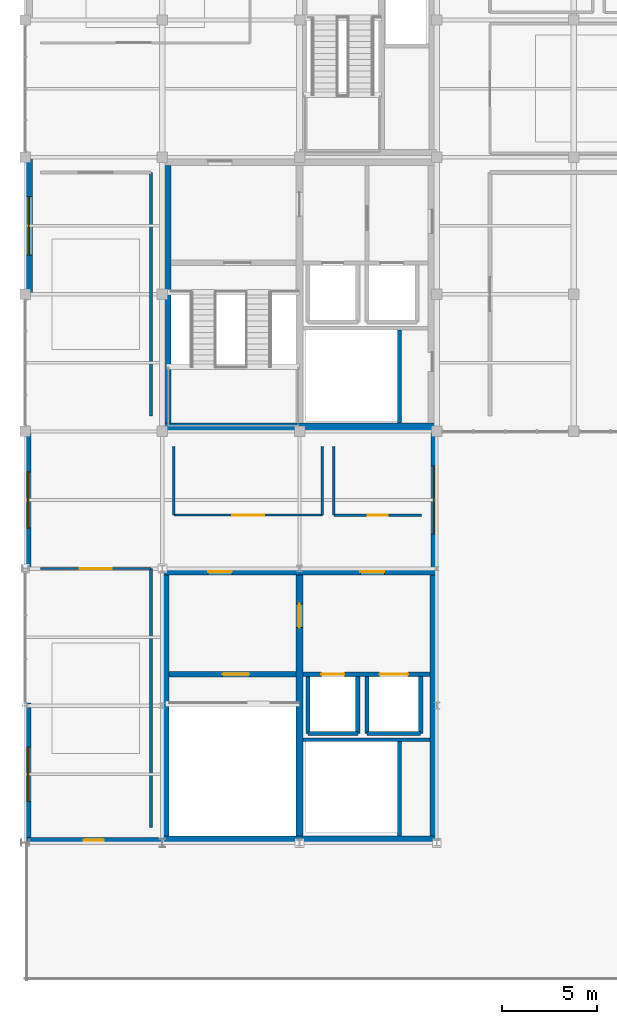
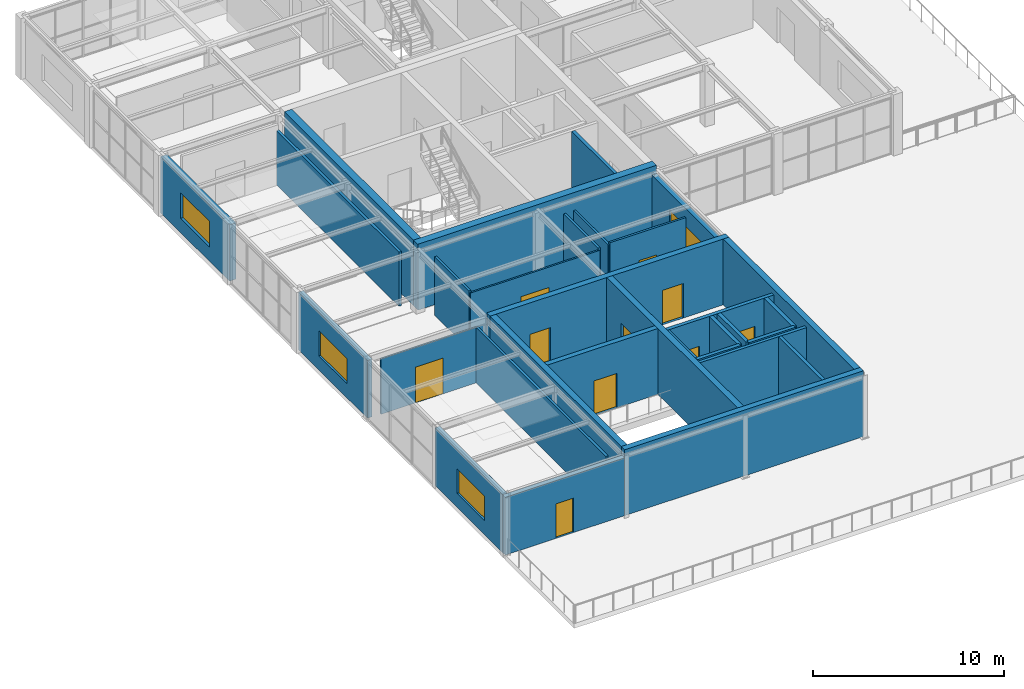
# One storey, part 21 of 30: 31 walls, 10 doors, 4 windows, 14 openings.
"""IFC4 building model written with IfcOpenShell, lengths in metres."""

from ifc_helpers import new_model, si_unit, direction, frame, frame_2d, origin, place, context, subcontext, project, spatial, rectangle, extrude, material, layer, layer_set, type_object, element, fill, save


model = new_model("IFC4")

# Units and contexts
model_context = context("Model", 3, precision=1e-05, world=origin(), true_north=direction((0.0, 1.0)))
body_context = subcontext(model_context, "Body", "Model", "MODEL_VIEW")
ifc_project = project(units=[si_unit("LENGTHUNIT", "METRE"), si_unit("AREAUNIT", "SQUARE_METRE"), si_unit("VOLUMEUNIT", "CUBIC_METRE"), si_unit("PLANEANGLEUNIT", "RADIAN"), si_unit("MASSUNIT", "GRAM", prefix="KILO")], contexts=[model_context])

# Site, building, storey
site_placement = place(None, origin())
site = spatial("IfcSite", under=ifc_project, at=site_placement, CompositionType="ELEMENT")
building_placement = place(site_placement, origin())
building = spatial("IfcBuilding", under=site, at=building_placement, Name="Leyfeld Transit Interchange", CompositionType="ELEMENT")
storey_placement = place(building_placement, frame((0.0, 0.0, 13.800048828125)))
storey = spatial("IfcBuildingStorey", under=building, at=storey_placement, Name="L03", CompositionType="ELEMENT", Elevation=13.800048828125)

# Wall, opening, window
ifc_material_1 = material(Name="Clinker brick masonry - Insulated", Category="masonry")
ifc_layer_1 = layer(ifc_material_1, 0.3798828125, Name="Clinker brick masonry - Insulated")
ifc_layer_set_1 = layer_set([ifc_layer_1], Name="Clinker brick masonry - Insulated")
wall_type_1 = type_object("IfcWallType", Name="WL-EXT-BRK-380", PredefinedType="SOLIDWALL", material=ifc_layer_set_1)
wall_1_placement = place(storey_placement, frame((0.18994140625, 100.800048828125, 0.0), z_axis=(0.0, 0.0, 1.0), x_axis=(0.0, 1.0, 0.0)))
wall_1 = element("IfcWall", 1, at=wall_1_placement, inside=storey, type_object=wall_type_1, Name="External Facade Wall EW-L03-103", PredefinedType="SOLIDWALL", context=body_context, shape_type="SweptSolid", body=[
    extrude(rectangle(XDim=7.199951171875, YDim=0.3798828125, at=frame_2d((3.60009765625, 0.0))), origin(), (0.0, 0.0, 1.0), 3.599853515625),
])
opening_1_placement = place(wall_1_placement, frame((2.074951171875, 0.0, 0.89990234375)))
opening_1 = element("IfcOpeningElement", 2, at=opening_1_placement, cuts=wall_1, Name="Opening WU-19", PredefinedType="OPENING", context=body_context, shape_type="SweptSolid", body=[
    extrude(rectangle(XDim=3.050048828125, YDim=1.64990234375, at=frame_2d((1.52490234375, 0.824951171875))), frame((0.0, 0.199951171875, 0.0), z_axis=(0.0, -1.0, 0.0), x_axis=(1.0, 0.0, 0.0)), (0.0, 0.0, 1.0), 0.39990234375),
])
ifc_material_2 = material(Name="Triple low-E insulated glazing", Category="glass")
window_type_1 = type_object("IfcWindowType", Name="WIN-UNQ-19", PartitioningType="SINGLE_PANEL", PredefinedType="WINDOW", material=ifc_material_2)
window_1_placement = place(opening_1_placement, origin())
window_1 = element("IfcWindow", 3, at=window_1_placement, inside=storey, type_object=window_type_1, Name="Facade Window L03 071", OverallHeight=1.64990234375, OverallWidth=3.050048828125, PartitioningType="SINGLE_PANEL", PredefinedType="WINDOW", context=body_context, shape_type="SweptSolid", body=[
    extrude(rectangle(XDim=3.050048828125, YDim=1.64990234375, at=frame_2d((1.52490234375, 0.824951171875))), frame((0.0, 0.030029296875, 0.0), z_axis=(0.0, -1.0, 0.0), x_axis=(1.0, 0.0, 0.0)), (0.0, 0.0, 1.0), 0.06005859375),
])
fill(opening_1, window_1)

ifc_material_3 = material(Name="Austrian larch glulam GL28h", Category="wood")
ifc_layer_2 = layer(ifc_material_3, 0.2900390625, Name="Austrian larch glulam GL28h")
ifc_layer_set_2 = layer_set([ifc_layer_2], Name="Austrian larch glulam GL28h")
wall_type_2 = type_object("IfcWallType", Name="WL-EXT-LRC-290", PredefinedType="SOLIDWALL", material=ifc_layer_set_2)
wall_2_placement = place(storey_placement, frame((0.14501953125, 72.0, 0.0), z_axis=(0.0, 0.0, 1.0), x_axis=(0.0, 1.0, 0.0)))
wall_2 = element("IfcWall", 4, at=wall_2_placement, inside=storey, type_object=wall_type_2, Name="External Facade Wall EW-L03-101", PredefinedType="SOLIDWALL", context=body_context, shape_type="SweptSolid", body=[
    extrude(rectangle(XDim=7.330078125, YDim=0.2900390625, at=frame_2d((3.6650390625, 0.0))), origin(), (0.0, 0.0, 1.0), 3.679931640625),
])
opening_2_placement = place(wall_2_placement, frame((2.175048828125, 0.0, 0.89990234375)))
opening_2 = element("IfcOpeningElement", 5, at=opening_2_placement, cuts=wall_2, Name="Opening WU-17", PredefinedType="OPENING", context=body_context, shape_type="SweptSolid", body=[
    extrude(rectangle(XDim=2.85009765625, YDim=1.550048828125, at=frame_2d((1.425048828125, 0.77490234375))), frame((0.0, 0.155029296875, 0.0), z_axis=(0.0, -1.0, 0.0), x_axis=(1.0, 0.0, 0.0)), (0.0, 0.0, 1.0), 0.31005859375),
])
window_type_2 = type_object("IfcWindowType", Name="WIN-UNQ-17", PartitioningType="SINGLE_PANEL", PredefinedType="WINDOW", material=ifc_material_2)
window_2_placement = place(opening_2_placement, origin())
window_2 = element("IfcWindow", 6, at=window_2_placement, inside=storey, type_object=window_type_2, Name="Facade Window L03 069", OverallHeight=1.550048828125, OverallWidth=2.85009765625, PartitioningType="SINGLE_PANEL", PredefinedType="WINDOW", context=body_context, shape_type="SweptSolid", body=[
    extrude(rectangle(XDim=2.85009765625, YDim=1.550048828125, at=frame_2d((1.425048828125, 0.77490234375))), frame((0.0, 0.030029296875, 0.0), z_axis=(0.0, -1.0, 0.0), x_axis=(1.0, 0.0, 0.0)), (0.0, 0.0, 1.0), 0.06005859375),
])
fill(opening_2, window_2)

wall_3_placement = place(storey_placement, frame((0.14501953125, 86.39990234375, 0.0), z_axis=(0.0, 0.0, 1.0), x_axis=(0.0, 1.0, 0.0)))
wall_3 = element("IfcWall", 7, at=wall_3_placement, inside=storey, type_object=wall_type_2, Name="External Facade Wall EW-L03-102", PredefinedType="SOLIDWALL", context=body_context, shape_type="SweptSolid", body=[
    extrude(rectangle(XDim=7.2001953125, YDim=0.2900390625, at=frame_2d((3.60009765625, 0.0))), origin(), (0.0, 0.0, 1.0), 3.679931640625),
])
opening_3_placement = place(wall_3_placement, frame((2.125, 0.0, 0.89990234375)))
opening_3 = element("IfcOpeningElement", 8, at=opening_3_placement, cuts=wall_3, Name="Opening WU-18", PredefinedType="OPENING", context=body_context, shape_type="SweptSolid", body=[
    extrude(rectangle(XDim=2.949951171875, YDim=1.60009765625, at=frame_2d((1.47509765625, 0.800048828125))), frame((0.0, 0.155029296875, 0.0), z_axis=(0.0, -1.0, 0.0), x_axis=(1.0, 0.0, 0.0)), (0.0, 0.0, 1.0), 0.31005859375),
])
window_type_3 = type_object("IfcWindowType", Name="WIN-UNQ-18", PartitioningType="SINGLE_PANEL", PredefinedType="WINDOW", material=ifc_material_2)
window_3_placement = place(opening_3_placement, origin())
window_3 = element("IfcWindow", 9, at=window_3_placement, inside=storey, type_object=window_type_3, Name="Facade Window L03 070", OverallHeight=1.60009765625, OverallWidth=2.949951171875, PartitioningType="SINGLE_PANEL", PredefinedType="WINDOW", context=body_context, shape_type="SweptSolid", body=[
    extrude(rectangle(XDim=2.949951171875, YDim=1.60009765625, at=frame_2d((1.47509765625, 0.800048828125))), frame((0.0, 0.030029296875, 0.0), z_axis=(0.0, -1.0, 0.0), x_axis=(1.0, 0.0, 0.0)), (0.0, 0.0, 1.0), 0.06005859375),
])
fill(opening_3, window_3)

wall_4_placement = place(storey_placement, frame((21.455078125, 93.60009765625, 0.0), z_axis=(0.0, 0.0, 1.0), x_axis=(0.0, -1.0, 0.0)))
wall_4 = element("IfcWall", 10, at=wall_4_placement, inside=storey, type_object=wall_type_2, Name="External Facade Wall EW-L03-110", PredefinedType="SOLIDWALL", context=body_context, shape_type="SweptSolid", body=[
    extrude(rectangle(XDim=7.2001953125, YDim=0.2900390625, at=frame_2d((3.60009765625, 0.0))), origin(), (0.0, 0.0, 1.0), 3.679931640625),
])
opening_4_placement = place(wall_4_placement, frame((1.824951171875, 0.0, 0.89990234375)))
opening_4 = element("IfcOpeningElement", 11, at=opening_4_placement, cuts=wall_4, Name="Opening WU-24", PredefinedType="OPENING", context=body_context, shape_type="SweptSolid", body=[
    extrude(rectangle(XDim=3.550048828125, YDim=1.64990234375, at=frame_2d((1.77490234375, 0.824951171875))), frame((0.0, 0.155029296875, 0.0), z_axis=(0.0, -1.0, 0.0), x_axis=(1.0, 0.0, 0.0)), (0.0, 0.0, 1.0), 0.31005859375),
])
window_type_4 = type_object("IfcWindowType", Name="WIN-UNQ-24", PartitioningType="SINGLE_PANEL", PredefinedType="WINDOW", material=ifc_material_2)
window_4_placement = place(opening_4_placement, origin())
window_4 = element("IfcWindow", 12, at=window_4_placement, inside=storey, type_object=window_type_4, Name="Facade Window L03 076", OverallHeight=1.64990234375, OverallWidth=3.550048828125, PartitioningType="SINGLE_PANEL", PredefinedType="WINDOW", context=body_context, shape_type="SweptSolid", body=[
    extrude(rectangle(XDim=3.550048828125, YDim=1.64990234375, at=frame_2d((1.77490234375, 0.824951171875))), frame((0.0, 0.030029296875, 0.0), z_axis=(0.0, -1.0, 0.0), x_axis=(1.0, 0.0, 0.0)), (0.0, 0.0, 1.0), 0.06005859375),
])
fill(opening_4, window_4)

# Wall, opening, door
wall_5_placement = place(storey_placement, frame((7.199951171875, 72.14501953125, 0.0), z_axis=(0.0, 0.0, 1.0), x_axis=(-1.0, 0.0, 0.0)))
wall_5 = element("IfcWall", 13, at=wall_5_placement, inside=storey, type_object=wall_type_2, Name="External Facade Wall EW-L03-111", PredefinedType="SOLIDWALL", context=body_context, shape_type="SweptSolid", body=[
    extrude(rectangle(XDim=7.199951171875, YDim=0.2900390625, at=frame_2d((3.60009765625, 0.0))), origin(), (0.0, 0.0, 1.0), 3.679931640625),
])
opening_5_placement = place(wall_5_placement, frame((3.074951171875, 0.0, 0.0)))
opening_5 = element("IfcOpeningElement", 14, at=opening_5_placement, cuts=wall_5, Name="Opening DE-07", PredefinedType="OPENING", context=body_context, shape_type="SweptSolid", body=[
    extrude(rectangle(XDim=1.050048828125, YDim=2.199951171875, at=frame_2d((0.52490234375, 1.10009765625))), frame((0.0, 0.155029296875, 0.0), z_axis=(0.0, -1.0, 0.0), x_axis=(1.0, 0.0, 0.0)), (0.0, 0.0, 1.0), 0.31005859375),
])
ifc_material_4 = material(Name="Anodised aluminium EN AW-6060 T66", Category="aluminium")
door_type_1 = type_object("IfcDoorType", Name="DR-EXT-TER-1050x2200", OperationType="NOTDEFINED", PredefinedType="DOOR", material=ifc_material_4)
door_1_placement = place(opening_5_placement, origin())
door_1 = element("IfcDoor", 15, at=door_1_placement, inside=storey, type_object=door_type_1, Name="DR-TER-L03-021", OperationType="SINGLE_SWING_RIGHT", OverallHeight=2.199951171875, OverallWidth=1.050048828125, PredefinedType="DOOR", context=body_context, shape_type="SweptSolid", body=[
    extrude(rectangle(XDim=1.050048828125, YDim=2.199951171875, at=frame_2d((0.52490234375, 1.10009765625))), frame((0.0, 0.02490234375, 0.0), z_axis=(0.0, -1.0, 0.0), x_axis=(1.0, 0.0, 0.0)), (0.0, 0.0, 1.0), 0.050048828125),
])
fill(opening_5, door_1)

# Wall
ifc_material_5 = material(Name="Gypsum plasterboard acoustic stud", Category="gypsum")
ifc_layer_3 = layer(ifc_material_5, 0.159912109375, Name="Gypsum plasterboard acoustic stud")
ifc_layer_set_3 = layer_set([ifc_layer_3], Name="Gypsum plasterboard acoustic stud")
wall_type_3 = type_object("IfcWallType", Name="WL-INT-ACU-160", PredefinedType="PARTITIONING", material=ifc_layer_set_3)
wall_6_placement = place(storey_placement, frame((6.60009765625, 107.199951171875, 0.0), z_axis=(0.0, 0.0, 1.0), x_axis=(0.0, -1.0, 0.0)))
element("IfcWall", 16, at=wall_6_placement, inside=storey, type_object=wall_type_3, Name="Interior Partition L03-CRI-01 E", PredefinedType="PARTITIONING", context=body_context, shape_type="SweptSolid", body=[
    extrude(rectangle(XDim=12.800048828125, YDim=0.159912109375, at=frame_2d((6.39990234375, 0.0))), origin(), (0.0, 0.0, 1.0), 3.449951171875),
])

# Wall, opening, door
ifc_material_6 = material(Name="Laminated safety acoustic glazing", Category="glass")
ifc_layer_4 = layer(ifc_material_6, 0.10498046875, Name="Laminated safety acoustic glazing")
ifc_layer_set_4 = layer_set([ifc_layer_4], Name="Laminated safety acoustic glazing")
wall_type_4 = type_object("IfcWallType", Name="WL-INT-GLZ-105", PredefinedType="PARTITIONING", material=ifc_layer_set_4)
wall_7_placement = place(storey_placement, frame((0.800048828125, 86.39990234375, 0.0), z_axis=(0.0, 0.0, 1.0), x_axis=(1.0, 0.0, 0.0)))
wall_7 = element("IfcWall", 17, at=wall_7_placement, inside=storey, type_object=wall_type_4, Name="Interior Partition L03-PAV-01 N", PredefinedType="PARTITIONING", context=body_context, shape_type="SweptSolid", body=[
    extrude(rectangle(XDim=5.800048828125, YDim=0.10498046875, at=frame_2d((2.89990234375, 0.0))), origin(), (0.0, 0.0, 1.0), 3.530029296875),
])
opening_6_placement = place(wall_7_placement, frame((2.06005859375, 0.0, 0.0)))
opening_6 = element("IfcOpeningElement", 18, at=opening_6_placement, cuts=wall_7, Name="Opening DU-17", PredefinedType="OPENING", context=body_context, shape_type="SweptSolid", body=[
    extrude(rectangle(XDim=1.679931640625, YDim=2.280029296875, at=frame_2d((0.83984375, 1.14013671875))), frame((0.0, 0.0625, 0.0), z_axis=(0.0, -1.0, 0.0), x_axis=(1.0, 0.0, 0.0)), (0.0, 0.0, 1.0), 0.125),
])
door_type_2 = type_object("IfcDoorType", Name="DR-UNQ-17", OperationType="NOTDEFINED", PredefinedType="DOOR", material=ifc_material_3)
door_2_placement = place(opening_6_placement, origin())
door_2 = element("IfcDoor", 19, at=door_2_placement, inside=storey, type_object=door_type_2, Name="DR-L03-PAV-01", OperationType="DOUBLE_DOOR_SINGLE_SWING", OverallHeight=2.280029296875, OverallWidth=1.679931640625, PredefinedType="DOOR", context=body_context, shape_type="SweptSolid", body=[
    extrude(rectangle(XDim=1.679931640625, YDim=2.280029296875, at=frame_2d((0.83984375, 1.14013671875))), frame((0.0, 0.02490234375, 0.0), z_axis=(0.0, -1.0, 0.0), x_axis=(1.0, 0.0, 0.0)), (0.0, 0.0, 1.0), 0.050048828125),
])
fill(opening_6, door_2)

wall_8_placement = place(storey_placement, frame((15.60009765625, 89.199951171875, 0.0), z_axis=(0.0, 0.0, 1.0), x_axis=(-1.0, 0.0, 0.0)))
wall_8 = element("IfcWall", 20, at=wall_8_placement, inside=storey, type_object=wall_type_4, Name="Interior Partition L03-KIO-01 S", PredefinedType="PARTITIONING", context=body_context, shape_type="SweptSolid", body=[
    extrude(rectangle(XDim=7.800048828125, YDim=0.10498046875, at=frame_2d((3.89990234375, 0.0))), origin(), (0.0, 0.0, 1.0), 3.579833984375),
])
opening_7_placement = place(wall_8_placement, frame((3.06005859375, 0.0, 0.0)))
opening_7 = element("IfcOpeningElement", 21, at=opening_7_placement, cuts=wall_8, Name="Opening DU-17", PredefinedType="OPENING", context=body_context, shape_type="SweptSolid", body=[
    extrude(rectangle(XDim=1.679931640625, YDim=2.280029296875, at=frame_2d((0.83984375, 1.14013671875))), frame((0.0, 0.0625, 0.0), z_axis=(0.0, -1.0, 0.0), x_axis=(1.0, 0.0, 0.0)), (0.0, 0.0, 1.0), 0.125),
])
door_3_placement = place(opening_7_placement, origin())
door_3 = element("IfcDoor", 22, at=door_3_placement, inside=storey, type_object=door_type_2, Name="DR-L03-KIO-01", OperationType="DOUBLE_DOOR_SINGLE_SWING", OverallHeight=2.280029296875, OverallWidth=1.679931640625, PredefinedType="DOOR", context=body_context, shape_type="SweptSolid", body=[
    extrude(rectangle(XDim=1.679931640625, YDim=2.280029296875, at=frame_2d((0.83984375, 1.14013671875))), frame((0.0, 0.02490234375, 0.0), z_axis=(0.0, -1.0, 0.0), x_axis=(1.0, 0.0, 0.0)), (0.0, 0.0, 1.0), 0.050048828125),
])
fill(opening_7, door_3)

# Walls
ifc_material_7 = material(Name="Calcium silicate masonry", Category="masonry")
ifc_layer_5 = layer(ifc_material_7, 0.18994140625, Name="Calcium silicate masonry")
ifc_layer_set_5 = layer_set([ifc_layer_5], Name="Calcium silicate masonry")
wall_type_5 = type_object("IfcWallType", Name="WL-INT-PLT-190", PredefinedType="PARTITIONING", material=ifc_layer_set_5)
wall_9_placement = place(storey_placement, frame((19.64990234375, 94.050048828125, 0.0), z_axis=(0.0, 0.0, 1.0), x_axis=(0.0, 1.0, 0.0)))
element("IfcWall", 23, at=wall_9_placement, inside=storey, type_object=wall_type_5, Name="Core K1 Riser Shaft East Wall L03", PredefinedType="PARTITIONING", context=body_context, shape_type="SweptSolid", body=[
    extrude(rectangle(XDim=4.8798828125, YDim=0.18994140625, at=frame_2d((2.43994140625, 0.0))), origin(), (0.0, 0.0, 1.0), 3.849853515625),
])
wall_10_placement = place(storey_placement, frame((14.580078125, 77.419921875, 0.0), z_axis=(0.0, 0.0, 1.0), x_axis=(1.0, 0.0, 0.0)))
element("IfcWall", 24, at=wall_10_placement, inside=storey, type_object=wall_type_5, Name="Core K3 Riser Compartment Wall L03", PredefinedType="PARTITIONING", context=body_context, shape_type="SweptSolid", body=[
    extrude(rectangle(XDim=6.669921875, YDim=0.18994140625, at=frame_2d((3.3349609375, 0.0))), origin(), (0.0, 0.0, 1.0), 3.849853515625),
])
wall_11_placement = place(storey_placement, frame((19.64990234375, 72.35009765625, 0.0), z_axis=(0.0, 0.0, 1.0), x_axis=(0.0, 1.0, 0.0)))
element("IfcWall", 25, at=wall_11_placement, inside=storey, type_object=wall_type_5, Name="Core K3 Riser Shaft East Wall L03", PredefinedType="PARTITIONING", context=body_context, shape_type="SweptSolid", body=[
    extrude(rectangle(XDim=4.97998046875, YDim=0.18994140625, at=frame_2d((2.489990234375, 0.0))), origin(), (0.0, 0.0, 1.0), 3.849853515625),
])
ifc_layer_6 = layer(ifc_material_5, 0.135009765625, Name="Gypsum plasterboard acoustic stud")
ifc_layer_set_6 = layer_set([ifc_layer_6], Name="Gypsum plasterboard acoustic stud")
wall_type_6 = type_object("IfcWallType", Name="WL-INT-RET-135", PredefinedType="PARTITIONING", material=ifc_layer_set_6)
for number, where, z_axis, x_axis, name in (
    (26, (15.60009765625, 92.800048828125, 0.0), (0.0, 0.0, 1.0), (0.0, -1.0, 0.0), "Interior Partition L03-KIO-01 E"),
    (27, (7.800048828125, 89.199951171875, 0.0), (0.0, 0.0, 1.0), (0.0, 1.0, 0.0), "Interior Partition L03-KIO-01 W"),
):
    element("IfcWall", number, at=place(storey_placement, frame(where, z_axis=z_axis, x_axis=x_axis)), inside=storey, type_object=wall_type_6, Name=name, PredefinedType="PARTITIONING", context=body_context, shape_type="SweptSolid", body=[
        extrude(rectangle(XDim=3.60009765625, YDim=0.135009765625, at=frame_2d((1.800048828125, 0.0))), origin(), (0.0, 0.0, 1.0), 3.7099609375),
    ])

# Wall, openings, doors
ifc_material_8 = material(Name="Concrete C35/45", Category="concrete")
ifc_layer_7 = layer(ifc_material_8, 0.219970703125, Name="Concrete C35/45")
ifc_layer_set_7 = layer_set([ifc_layer_7], Name="Concrete C35/45")
wall_type_7 = type_object("IfcWallType", Name="WL-INT-SHF-220", PredefinedType="PARTITIONING", material=ifc_layer_set_7)
wall_12_placement = place(storey_placement, frame((14.580078125, 80.85009765625, 0.0), z_axis=(0.0, 0.0, 1.0), x_axis=(1.0, 0.0, 0.0)))
wall_12 = element("IfcWall", 28, at=wall_12_placement, inside=storey, type_object=wall_type_7, Name="Core K3 Lift Shaft Front Wall L03", PredefinedType="PARTITIONING", context=body_context, shape_type="SweptSolid", body=[
    extrude(rectangle(XDim=6.669921875, YDim=0.219970703125, at=frame_2d((3.3349609375, 0.0))), origin(), (0.0, 0.0, 1.0), 3.849853515625),
])
opening_8_placement = place(wall_12_placement, frame((0.969970703125, 0.0, 0.0)))
opening_8 = element("IfcOpeningElement", 29, at=opening_8_placement, cuts=wall_12, Name="Opening LD-02", PredefinedType="OPENING", context=body_context, shape_type="SweptSolid", body=[
    extrude(rectangle(XDim=1.199951171875, YDim=2.14990234375, at=frame_2d((0.60009765625, 1.074951171875))), frame((0.0, 0.119873046875, 0.0), z_axis=(0.0, -1.0, 0.0), x_axis=(1.0, 0.0, 0.0)), (0.0, 0.0, 1.0), 0.239990234375),
])
opening_9_placement = place(wall_12_placement, frame((4.02001953125, 0.0, 0.0)))
opening_9 = element("IfcOpeningElement", 30, at=opening_9_placement, cuts=wall_12, Name="Opening LD-03", PredefinedType="OPENING", context=body_context, shape_type="SweptSolid", body=[
    extrude(rectangle(XDim=1.5, YDim=2.25, at=frame_2d((0.75, 1.125))), frame((0.0, 0.119873046875, 0.0), z_axis=(0.0, -1.0, 0.0), x_axis=(1.0, 0.0, 0.0)), (0.0, 0.0, 1.0), 0.239990234375),
])
ifc_material_9 = material(Name="Stainless steel EN 1.4404", Category="steel")
door_type_3 = type_object("IfcDoorType", Name="DR-LD-GDS-1500x2250", OperationType="NOTDEFINED", PredefinedType="DOOR", material=ifc_material_9)
door_4_placement = place(opening_9_placement, origin())
door_4 = element("IfcDoor", 31, at=door_4_placement, inside=storey, type_object=door_type_3, Name="LD-GL-1-L03", OperationType="DOUBLE_DOOR_SLIDING", OverallHeight=2.25, OverallWidth=1.5, PredefinedType="DOOR", context=body_context, shape_type="SweptSolid", body=[
    extrude(rectangle(XDim=1.5, YDim=2.25, at=frame_2d((0.75, 1.125))), frame((0.0, 0.02490234375, 0.0), z_axis=(0.0, -1.0, 0.0), x_axis=(1.0, 0.0, 0.0)), (0.0, 0.0, 1.0), 0.050048828125),
])
fill(opening_9, door_4)
door_type_4 = type_object("IfcDoorType", Name="DR-LD-PAS-1200x2150", OperationType="NOTDEFINED", PredefinedType="DOOR", material=ifc_material_9)
door_5_placement = place(opening_8_placement, origin())
door_5 = element("IfcDoor", 32, at=door_5_placement, inside=storey, type_object=door_type_4, Name="LD-PL-3-L03", OperationType="DOUBLE_DOOR_SLIDING", OverallHeight=2.14990234375, OverallWidth=1.199951171875, PredefinedType="DOOR", context=body_context, shape_type="SweptSolid", body=[
    extrude(rectangle(XDim=1.199951171875, YDim=2.14990234375, at=frame_2d((0.60009765625, 1.074951171875))), frame((0.0, 0.02490234375, 0.0), z_axis=(0.0, -1.0, 0.0), x_axis=(1.0, 0.0, 0.0)), (0.0, 0.0, 1.0), 0.050048828125),
])
fill(opening_8, door_5)

# Walls
wall_13_placement = place(storey_placement, frame((14.840087890625, 77.739990234375, 0.0), z_axis=(0.0, 0.0, 1.0), x_axis=(1.0, 0.0, 0.0)))
element("IfcWall", 33, at=wall_13_placement, inside=storey, type_object=wall_type_7, Name="Core K3 Lift PL-3 Shaft Back Wall L03", PredefinedType="PARTITIONING", context=body_context, shape_type="SweptSolid", body=[
    extrude(rectangle(XDim=2.619873046875, YDim=0.219970703125, at=frame_2d((1.31005859375, 0.0))), origin(), (0.0, 0.0, 1.0), 3.849853515625),
])
for number, where, z_axis, x_axis, name in (
    (34, (14.840087890625, 77.739990234375, 0.0), (0.0, 0.0, 1.0), (0.0, 1.0, 0.0), "Core K3 Lift PL-3 Shaft Wall W L03"),
    (35, (17.4599609375, 77.739990234375, 0.0), (0.0, 0.0, 1.0), (0.0, 1.0, 0.0), "Core K3 Lift PL-3 Shaft Wall E L03"),
):
    element("IfcWall", number, at=place(storey_placement, frame(where, z_axis=z_axis, x_axis=x_axis)), inside=storey, type_object=wall_type_7, Name=name, PredefinedType="PARTITIONING", context=body_context, shape_type="SweptSolid", body=[
        extrude(rectangle(XDim=3.0, YDim=0.219970703125, at=frame_2d((1.5, 0.0))), origin(), (0.0, 0.0, 1.0), 3.849853515625),
    ])
wall_14_placement = place(storey_placement, frame((17.93994140625, 77.739990234375, 0.0), z_axis=(0.0, 0.0, 1.0), x_axis=(1.0, 0.0, 0.0)))
element("IfcWall", 36, at=wall_14_placement, inside=storey, type_object=wall_type_7, Name="Core K3 Lift GL-1 Shaft Back Wall L03", PredefinedType="PARTITIONING", context=body_context, shape_type="SweptSolid", body=[
    extrude(rectangle(XDim=2.820068359375, YDim=0.219970703125, at=frame_2d((1.41015625, 0.0))), origin(), (0.0, 0.0, 1.0), 3.849853515625),
])
for number, where, z_axis, x_axis, name in (
    (37, (17.93994140625, 77.739990234375, 0.0), (0.0, 0.0, 1.0), (0.0, 1.0, 0.0), "Core K3 Lift GL-1 Shaft Wall W L03"),
    (38, (20.760009765625, 77.739990234375, 0.0), (0.0, 0.0, 1.0), (0.0, 1.0, 0.0), "Core K3 Lift GL-1 Shaft Wall E L03"),
):
    element("IfcWall", number, at=place(storey_placement, frame(where, z_axis=z_axis, x_axis=x_axis)), inside=storey, type_object=wall_type_7, Name=name, PredefinedType="PARTITIONING", context=body_context, shape_type="SweptSolid", body=[
        extrude(rectangle(XDim=3.0, YDim=0.219970703125, at=frame_2d((1.5, 0.0))), origin(), (0.0, 0.0, 1.0), 3.849853515625),
    ])
ifc_layer_8 = layer(ifc_material_5, 0.14501953125, Name="Gypsum plasterboard acoustic stud")
ifc_layer_set_8 = layer_set([ifc_layer_8], Name="Gypsum plasterboard acoustic stud")
wall_type_8 = type_object("IfcWallType", Name="WL-INT-STD-145", PredefinedType="PARTITIONING", material=ifc_layer_set_8)
wall_15_placement = place(storey_placement, frame((6.60009765625, 86.39990234375, 0.0), z_axis=(0.0, 0.0, 1.0), x_axis=(0.0, -1.0, 0.0)))
element("IfcWall", 39, at=wall_15_placement, inside=storey, type_object=wall_type_8, Name="Interior Partition L03-PAV-01 E", PredefinedType="PARTITIONING", context=body_context, shape_type="SweptSolid", body=[
    extrude(rectangle(XDim=13.599853515625, YDim=0.14501953125, at=frame_2d((6.7998046875, 0.0))), origin(), (0.0, 0.0, 1.0), 3.530029296875),
])

# Wall, opening, door
ifc_material_10 = material(Name="Autoclaved aerated blockwork G4", Category="masonry")
ifc_layer_9 = layer(ifc_material_10, 0.125, Name="Autoclaved aerated blockwork G4")
ifc_layer_set_9 = layer_set([ifc_layer_9], Name="Autoclaved aerated blockwork G4")
wall_type_9 = type_object("IfcWallType", Name="WL-INT-WC-125", PredefinedType="PARTITIONING", material=ifc_layer_set_9)
wall_16_placement = place(storey_placement, frame((20.800048828125, 89.199951171875, 0.0), z_axis=(0.0, 0.0, 1.0), x_axis=(-1.0, 0.0, 0.0)))
wall_16 = element("IfcWall", 40, at=wall_16_placement, inside=storey, type_object=wall_type_9, Name="Interior Partition L03-WCA-01 S", PredefinedType="PARTITIONING", context=body_context, shape_type="SweptSolid", body=[
    extrude(rectangle(XDim=4.60009765625, YDim=0.125, at=frame_2d((2.300048828125, 0.0))), origin(), (0.0, 0.0, 1.0), 3.849853515625),
])
opening_10_placement = place(wall_16_placement, frame((1.77490234375, 0.0, 0.0)))
opening_10 = element("IfcOpeningElement", 41, at=opening_10_placement, cuts=wall_16, Name="Opening DI-09", PredefinedType="OPENING", context=body_context, shape_type="SweptSolid", body=[
    extrude(rectangle(XDim=1.050048828125, YDim=2.10009765625, at=frame_2d((0.52490234375, 1.050048828125))), frame((0.0, 0.072509765625, 0.0), z_axis=(0.0, -1.0, 0.0), x_axis=(1.0, 0.0, 0.0)), (0.0, 0.0, 1.0), 0.14501953125),
])
door_type_5 = type_object("IfcDoorType", Name="DR-WCA-1050x2100", OperationType="NOTDEFINED", PredefinedType="DOOR", material=ifc_material_3)
door_6_placement = place(opening_10_placement, origin())
door_6 = element("IfcDoor", 42, at=door_6_placement, inside=storey, type_object=door_type_5, Name="DR-L03-WCA-01", OperationType="SINGLE_SWING_LEFT", OverallHeight=2.10009765625, OverallWidth=1.050048828125, PredefinedType="DOOR", context=body_context, shape_type="SweptSolid", body=[
    extrude(rectangle(XDim=1.050048828125, YDim=2.10009765625, at=frame_2d((0.52490234375, 1.050048828125))), frame((0.0, 0.02490234375, 0.0), z_axis=(0.0, -1.0, 0.0), x_axis=(1.0, 0.0, 0.0)), (0.0, 0.0, 1.0), 0.050048828125),
])
fill(opening_10, door_6)

# Wall
wall_17_placement = place(storey_placement, frame((16.199951171875, 89.199951171875, 0.0), z_axis=(0.0, 0.0, 1.0), x_axis=(0.0, 1.0, 0.0)))
element("IfcWall", 43, at=wall_17_placement, inside=storey, type_object=wall_type_9, Name="Interior Partition L03-WCA-01 W", PredefinedType="PARTITIONING", context=body_context, shape_type="SweptSolid", body=[
    extrude(rectangle(XDim=3.60009765625, YDim=0.125, at=frame_2d((1.800048828125, 0.0))), origin(), (0.0, 0.0, 1.0), 3.7099609375),
])

# Wall, opening, door
ifc_layer_10 = layer(ifc_material_8, 0.300048828125, Name="Concrete C35/45")
ifc_layer_set_10 = layer_set([ifc_layer_10], Name="Concrete C35/45")
wall_type_10 = type_object("IfcWallType", Name="WL-SH-300", PredefinedType="SHEAR", material=ifc_layer_set_10)
wall_18_placement = place(storey_placement, frame((7.550048828125, 80.85009765625, 0.0), z_axis=(0.0, 0.0, 1.0), x_axis=(1.0, 0.0, 0.0)))
wall_18 = element("IfcWall", 44, at=wall_18_placement, inside=storey, type_object=wall_type_10, Name="Core K3 Shear Wall STRN L03", PredefinedType="SHEAR", context=body_context, shape_type="SweptSolid", body=[
    extrude(rectangle(XDim=6.675048828125, YDim=0.300048828125, at=frame_2d((3.33740234375, 0.0))), origin(), (0.0, 0.0, 1.0), 4.199951171875),
])
opening_11_placement = place(wall_18_placement, frame((2.8125, 0.0, 0.0)))
opening_11 = element("IfcOpeningElement", 45, at=opening_11_placement, cuts=wall_18, Name="Opening DI-01", PredefinedType="OPENING", context=body_context, shape_type="SweptSolid", body=[
    extrude(rectangle(XDim=1.39990234375, YDim=2.199951171875, at=frame_2d((0.699951171875, 1.10009765625))), frame((0.0, 0.159912109375, 0.0), z_axis=(0.0, -1.0, 0.0), x_axis=(1.0, 0.0, 0.0)), (0.0, 0.0, 1.0), 0.320068359375),
])
ifc_material_11 = material(Name="Galvanised steel S275JR", Category="steel")
door_type_6 = type_object("IfcDoorType", Name="DR-STR-1400x2200", OperationType="NOTDEFINED", PredefinedType="DOOR", material=ifc_material_11)
door_7_placement = place(opening_11_placement, origin())
door_7 = element("IfcDoor", 46, at=door_7_placement, inside=storey, type_object=door_type_6, Name="DR-STR-INT-K3-L03", OperationType="SINGLE_SWING_LEFT", OverallHeight=2.199951171875, OverallWidth=1.39990234375, PredefinedType="DOOR", context=body_context, shape_type="SweptSolid", body=[
    extrude(rectangle(XDim=1.39990234375, YDim=2.199951171875, at=frame_2d((0.699951171875, 1.10009765625))), frame((0.0, 0.02490234375, 0.0), z_axis=(0.0, -1.0, 0.0), x_axis=(1.0, 0.0, 0.0)), (0.0, 0.0, 1.0), 0.050048828125),
])
fill(opening_11, door_7)

# Wall, openings, doors
ifc_layer_11 = layer(ifc_material_8, 0.35009765625, Name="Concrete C35/45")
ifc_layer_set_11 = layer_set([ifc_layer_11], Name="Concrete C35/45")
wall_type_11 = type_object("IfcWallType", Name="WL-SH-350", PredefinedType="SHEAR", material=ifc_layer_set_11)
wall_19_placement = place(storey_placement, frame((7.199951171875, 86.22509765625, 0.0), z_axis=(0.0, 0.0, 1.0), x_axis=(1.0, 0.0, 0.0)))
wall_19 = element("IfcWall", 47, at=wall_19_placement, inside=storey, type_object=wall_type_11, Name="Core K3 Shear Wall N L03", PredefinedType="SHEAR", context=body_context, shape_type="SweptSolid", body=[
    extrude(rectangle(XDim=14.400146484375, YDim=0.35009765625, at=frame_2d((7.2001953125, 0.0))), origin(), (0.0, 0.0, 1.0), 4.199951171875),
])
opening_12_placement = place(wall_19_placement, frame((2.39990234375, 0.0, 0.0)))
opening_12 = element("IfcOpeningElement", 48, at=opening_12_placement, cuts=wall_19, Name="Opening DI-02", PredefinedType="OPENING", context=body_context, shape_type="SweptSolid", body=[
    extrude(rectangle(XDim=1.25, YDim=2.199951171875, at=frame_2d((0.625, 1.10009765625))), frame((0.0, 0.18505859375, 0.0), z_axis=(0.0, -1.0, 0.0), x_axis=(1.0, 0.0, 0.0)), (0.0, 0.0, 1.0), 0.3701171875),
])
opening_13_placement = place(wall_19_placement, frame((10.39990234375, 0.0, 0.0)))
opening_13 = element("IfcOpeningElement", 49, at=opening_13_placement, cuts=wall_19, Name="Opening DI-02", PredefinedType="OPENING", context=body_context, shape_type="SweptSolid", body=[
    extrude(rectangle(XDim=1.25, YDim=2.199951171875, at=frame_2d((0.625, 1.10009765625))), frame((0.0, 0.18505859375, 0.0), z_axis=(0.0, -1.0, 0.0), x_axis=(1.0, 0.0, 0.0)), (0.0, 0.0, 1.0), 0.3701171875),
])
door_type_7 = type_object("IfcDoorType", Name="DR-FFL-1250x2200", OperationType="NOTDEFINED", PredefinedType="DOOR", material=ifc_material_11)
door_8_placement = place(opening_12_placement, origin())
door_8 = element("IfcDoor", 50, at=door_8_placement, inside=storey, type_object=door_type_7, Name="DR-CORE-OUT-K3-L03-NW", OperationType="SINGLE_SWING_LEFT", OverallHeight=2.199951171875, OverallWidth=1.25, PredefinedType="DOOR", context=body_context, shape_type="SweptSolid", body=[
    extrude(rectangle(XDim=1.25, YDim=2.199951171875, at=frame_2d((0.625, 1.10009765625))), frame((0.0, 0.02490234375, 0.0), z_axis=(0.0, -1.0, 0.0), x_axis=(1.0, 0.0, 0.0)), (0.0, 0.0, 1.0), 0.050048828125),
])
fill(opening_12, door_8)
door_9_placement = place(opening_13_placement, origin())
door_9 = element("IfcDoor", 51, at=door_9_placement, inside=storey, type_object=door_type_7, Name="DR-CORE-OUT-K3-L03-NE", OperationType="SINGLE_SWING_RIGHT", OverallHeight=2.199951171875, OverallWidth=1.25, PredefinedType="DOOR", context=body_context, shape_type="SweptSolid", body=[
    extrude(rectangle(XDim=1.25, YDim=2.199951171875, at=frame_2d((0.625, 1.10009765625))), frame((0.0, 0.02490234375, 0.0), z_axis=(0.0, -1.0, 0.0), x_axis=(1.0, 0.0, 0.0)), (0.0, 0.0, 1.0), 0.050048828125),
])
fill(opening_13, door_9)

# Walls
wall_20_placement = place(storey_placement, frame((21.425048828125, 86.050048828125, 0.0), z_axis=(0.0, 0.0, 1.0), x_axis=(0.0, -1.0, 0.0)))
element("IfcWall", 52, at=wall_20_placement, inside=storey, type_object=wall_type_11, Name="Core K3 Shear Wall E L03", PredefinedType="SHEAR", context=body_context, shape_type="SweptSolid", body=[
    extrude(rectangle(XDim=13.699951171875, YDim=0.35009765625, at=frame_2d((6.85009765625, 0.0))), origin(), (0.0, 0.0, 1.0), 4.199951171875),
])
wall_21_placement = place(storey_placement, frame((21.60009765625, 72.175048828125, 0.0), z_axis=(0.0, 0.0, 1.0), x_axis=(-1.0, 0.0, 0.0)))
element("IfcWall", 53, at=wall_21_placement, inside=storey, type_object=wall_type_11, Name="Core K3 Shear Wall S L03", PredefinedType="SHEAR", context=body_context, shape_type="SweptSolid", body=[
    extrude(rectangle(XDim=14.400146484375, YDim=0.35009765625, at=frame_2d((7.2001953125, 0.0))), origin(), (0.0, 0.0, 1.0), 4.199951171875),
])
wall_22_placement = place(storey_placement, frame((7.375, 72.35009765625, 0.0), z_axis=(0.0, 0.0, 1.0), x_axis=(0.0, 1.0, 0.0)))
element("IfcWall", 54, at=wall_22_placement, inside=storey, type_object=wall_type_11, Name="Core K3 Shear Wall W L03", PredefinedType="SHEAR", context=body_context, shape_type="SweptSolid", body=[
    extrude(rectangle(XDim=13.699951171875, YDim=0.35009765625, at=frame_2d((6.85009765625, 0.0))), origin(), (0.0, 0.0, 1.0), 4.199951171875),
])

# Wall, opening, door
wall_23_placement = place(storey_placement, frame((14.39990234375, 86.050048828125, 0.0), z_axis=(0.0, 0.0, 1.0), x_axis=(0.0, -1.0, 0.0)))
wall_23 = element("IfcWall", 55, at=wall_23_placement, inside=storey, type_object=wall_type_11, Name="Core K3 Shear Wall MID L03", PredefinedType="SHEAR", context=body_context, shape_type="SweptSolid", body=[
    extrude(rectangle(XDim=13.699951171875, YDim=0.35009765625, at=frame_2d((6.85009765625, 0.0))), origin(), (0.0, 0.0, 1.0), 4.199951171875),
])
opening_14_placement = place(wall_23_placement, frame((1.5, 0.0, 0.0)))
opening_14 = element("IfcOpeningElement", 56, at=opening_14_placement, cuts=wall_23, Name="Opening DI-02", PredefinedType="OPENING", context=body_context, shape_type="SweptSolid", body=[
    extrude(rectangle(XDim=1.25, YDim=2.199951171875, at=frame_2d((0.625, 1.10009765625))), frame((0.0, 0.18505859375, 0.0), z_axis=(0.0, -1.0, 0.0), x_axis=(1.0, 0.0, 0.0)), (0.0, 0.0, 1.0), 0.3701171875),
])
door_10_placement = place(opening_14_placement, origin())
door_10 = element("IfcDoor", 57, at=door_10_placement, inside=storey, type_object=door_type_7, Name="DR-CORE-MID-K3-L03", OperationType="SINGLE_SWING_RIGHT", OverallHeight=2.199951171875, OverallWidth=1.25, PredefinedType="DOOR", context=body_context, shape_type="SweptSolid", body=[
    extrude(rectangle(XDim=1.25, YDim=2.199951171875, at=frame_2d((0.625, 1.10009765625))), frame((0.0, 0.02490234375, 0.0), z_axis=(0.0, -1.0, 0.0), x_axis=(1.0, 0.0, 0.0)), (0.0, 0.0, 1.0), 0.050048828125),
])
fill(opening_14, door_10)

# Walls
ifc_layer_12 = layer(ifc_material_8, 0.449951171875, Name="Concrete C35/45")
ifc_layer_set_12 = layer_set([ifc_layer_12], Name="Concrete C35/45")
wall_type_12 = type_object("IfcWallType", Name="WL-SH-450", PredefinedType="SHEAR", material=ifc_layer_set_12)
wall_24_placement = place(storey_placement, frame((21.60009765625, 93.824951171875, 0.0), z_axis=(0.0, 0.0, 1.0), x_axis=(-1.0, 0.0, 0.0)))
element("IfcWall", 58, at=wall_24_placement, inside=storey, type_object=wall_type_12, Name="Core K1 Shear Wall S L03", PredefinedType="SHEAR", context=body_context, shape_type="SweptSolid", body=[
    extrude(rectangle(XDim=14.400146484375, YDim=0.449951171875, at=frame_2d((7.2001953125, 0.0))), origin(), (0.0, 0.0, 1.0), 4.199951171875),
])
wall_25_placement = place(storey_placement, frame((7.425048828125, 94.050048828125, 0.0), z_axis=(0.0, 0.0, 1.0), x_axis=(0.0, 1.0, 0.0)))
element("IfcWall", 59, at=wall_25_placement, inside=storey, type_object=wall_type_12, Name="Core K1 Shear Wall W L03", PredefinedType="SHEAR", context=body_context, shape_type="SweptSolid", body=[
    extrude(rectangle(XDim=13.5, YDim=0.449951171875, at=frame_2d((6.75, 0.0))), origin(), (0.0, 0.0, 1.0), 4.199951171875),
])

save(model, "model.ifc")
